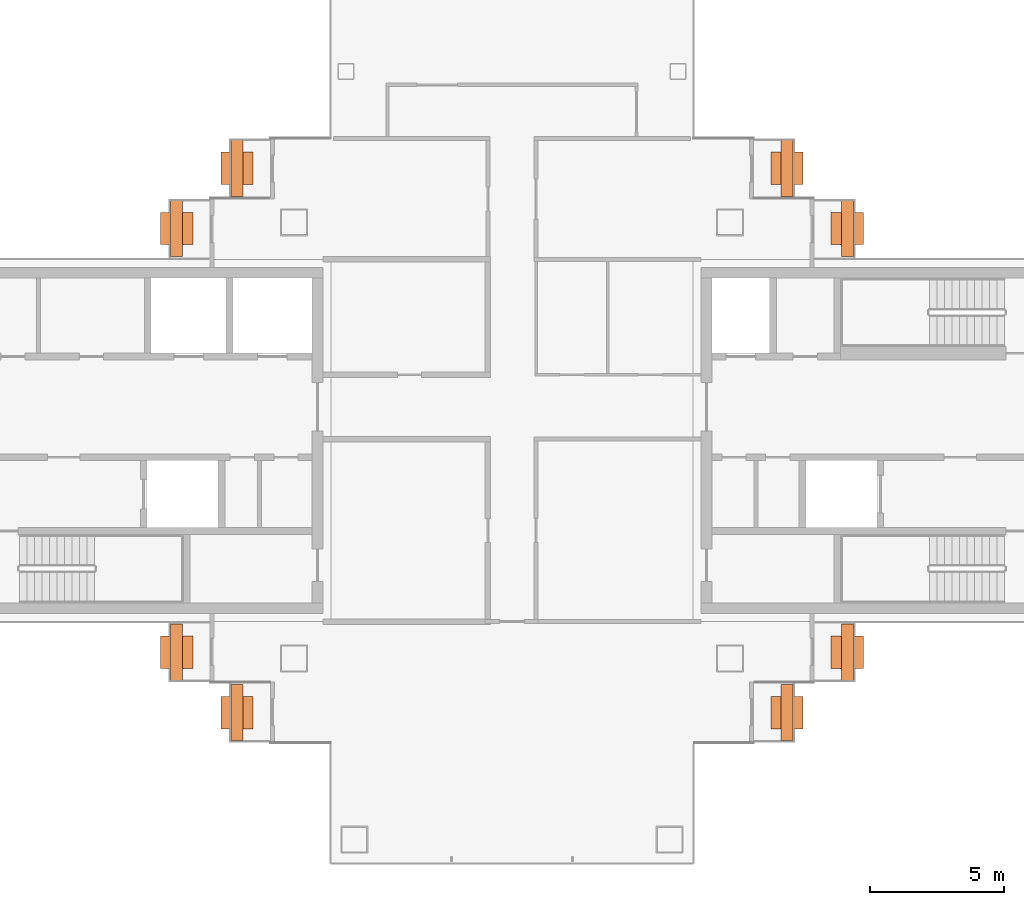
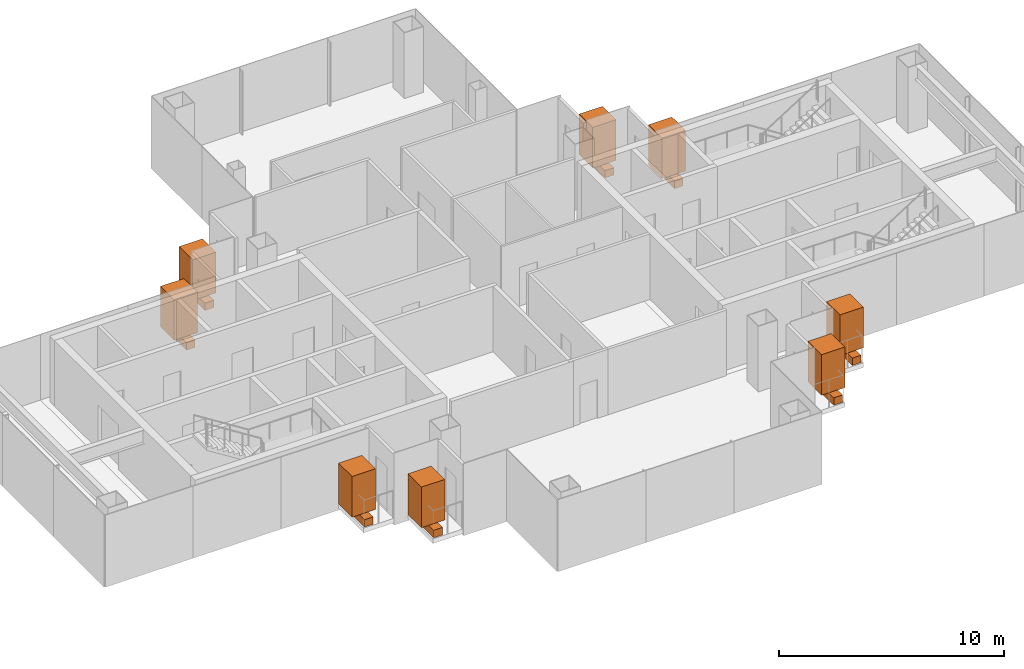
# One storey, part 17 of 17: 8 geographic elements, 8 proxies.
"""IFC4 building model written with IfcOpenShell, lengths in metres."""

from ifc_helpers import new_model, si_unit, direction, frame, origin, origin_2d, place, context, subcontext, project, spatial, rectangle, extrude, material, type_object, element, save


model = new_model("IFC4")

# Units and contexts
model_context = context("Model", 3, precision=1e-05, world=origin(), true_north=direction((0.0, 1.0)))
body_context = subcontext(model_context, "Body", "Model", "MODEL_VIEW")
ifc_project = project(units=[si_unit("LENGTHUNIT", "METRE"), si_unit("AREAUNIT", "SQUARE_METRE"), si_unit("VOLUMEUNIT", "CUBIC_METRE"), si_unit("PLANEANGLEUNIT", "RADIAN"), si_unit("MASSUNIT", "GRAM", prefix="KILO")], contexts=[model_context])

# Site, building, storey
site_placement = place(None, origin())
site = spatial("IfcSite", under=ifc_project, at=site_placement, CompositionType="ELEMENT")
building_placement = place(site_placement, origin())
building = spatial("IfcBuilding", under=site, at=building_placement, Name="Shamsa Quay Exchange Towers", CompositionType="ELEMENT")
storey_placement = place(building_placement, frame((0.0, 0.0, 194.39990234375)))
storey = spatial("IfcBuildingStorey", under=building, at=storey_placement, Name="L46", CompositionType="ELEMENT", Elevation=194.39990234375)

# Proxies
ifc_material_1 = material(Name="Reinforced concrete C30/37, black glass-fibre faced", Category="concrete")
building_element_proxy_type = type_object("IfcBuildingElementProxyType", Name="BALCONY PLANTER", PredefinedType="USERDEFINED", material=ifc_material_1)
for number, where, z_axis, x_axis, name in (
    (1, (23.5048828125, 10.14404296875, 0.000244140625), (0.0, 0.0, 1.0), (0.0, -1.0, 0.0), "PLANTER T2-PKEN L46"),
    (2, (21.2548828125, 7.89404296875, 0.000244140625), (0.0, 0.0, 1.0), (0.0, -1.0, 0.0), "PLANTER T2-PKEN L46"),
    (3, (43.9951171875, 10.14404296875, 0.000244140625), (0.0, 0.0, 1.0), (0.0, 1.0, 0.0), "PLANTER T2-PKES L46"),
    (4, (46.2451171875, 7.89404296875, 0.000244140625), (0.0, 0.0, 1.0), (0.0, 1.0, 0.0), "PLANTER T2-PKES L46"),
    (5, (21.2548828125, -7.89404296875, 0.000244140625), (0.0, 0.0, 1.0), (0.0, -1.0, 0.0), "PLANTER T2-PKWN L46"),
    (6, (23.5048828125, -10.14404296875, 0.000244140625), (0.0, 0.0, 1.0), (0.0, -1.0, 0.0), "PLANTER T2-PKWN L46"),
    (7, (43.9951171875, -10.14404296875, 0.000244140625), (0.0, 0.0, 1.0), (0.0, 1.0, 0.0), "PLANTER T2-PKWS L46"),
    (8, (46.2451171875, -7.89404296875, 0.000244140625), (0.0, 0.0, 1.0), (0.0, 1.0, 0.0), "PLANTER T2-PKWS L46"),
):
    element("IfcBuildingElementProxy", number, at=place(storey_placement, frame(where, z_axis=z_axis, x_axis=x_axis)), inside=storey, type_object=building_element_proxy_type, Name=name, ObjectType="PLANTER", PredefinedType="USERDEFINED", context=body_context, shape_type="SweptSolid", body=[
        extrude(rectangle(XDim=2.092041015625, YDim=0.449951171875, at=origin_2d()), origin(), (0.0, 0.0, 1.0), 0.39990234375),
    ])

# Geographic elements
ifc_material_2 = material(Name="Planting")
geographic_element_type = type_object("IfcGeographicElementType", Name="BALCONY TREE", PredefinedType="USERDEFINED", material=ifc_material_2)
for number, where, z_axis, x_axis, name in (
    (9, (23.5048828125, 10.14404296875, 0.39990234375), (0.0, 0.0, 1.0), (0.0, -1.0, 0.0), "TREE T2-PKEN L46"),
    (10, (21.2548828125, 7.89404296875, 0.39990234375), (0.0, 0.0, 1.0), (0.0, -1.0, 0.0), "TREE T2-PKEN L46"),
    (11, (43.9951171875, 10.14404296875, 0.39990234375), (0.0, 0.0, 1.0), (0.0, 1.0, 0.0), "TREE T2-PKES L46"),
    (12, (46.2451171875, 7.89404296875, 0.39990234375), (0.0, 0.0, 1.0), (0.0, 1.0, 0.0), "TREE T2-PKES L46"),
    (13, (21.2548828125, -7.89404296875, 0.39990234375), (0.0, 0.0, 1.0), (0.0, -1.0, 0.0), "TREE T2-PKWN L46"),
    (14, (23.5048828125, -10.14404296875, 0.39990234375), (0.0, 0.0, 1.0), (0.0, -1.0, 0.0), "TREE T2-PKWN L46"),
    (15, (43.9951171875, -10.14404296875, 0.39990234375), (0.0, 0.0, 1.0), (0.0, 1.0, 0.0), "TREE T2-PKWS L46"),
    (16, (46.2451171875, -7.89404296875, 0.39990234375), (0.0, 0.0, 1.0), (0.0, 1.0, 0.0), "TREE T2-PKWS L46"),
):
    element("IfcGeographicElement", number, at=place(storey_placement, frame(where, z_axis=z_axis, x_axis=x_axis)), inside=storey, type_object=geographic_element_type, Name=name, ObjectType="TREE", PredefinedType="USERDEFINED", context=body_context, shape_type="SweptSolid", body=[
        extrude(rectangle(XDim=1.199951171875, YDim=1.199951171875, at=origin_2d()), origin(), (0.0, 0.0, 1.0), 2.199951171875),
    ])

save(model, "model.ifc")
